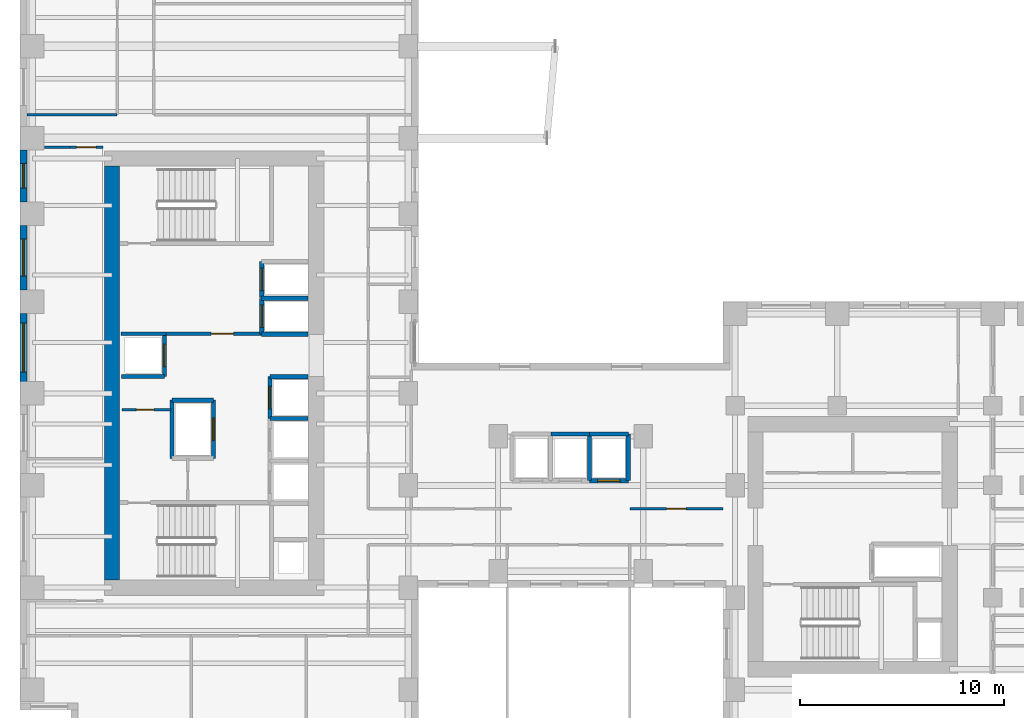
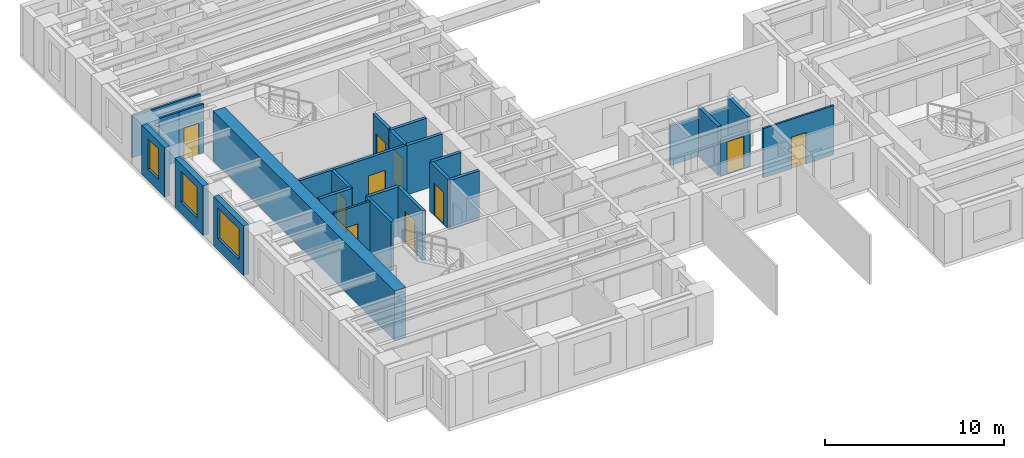
# One storey, part 7 of 13: 28 walls, 10 doors, 3 windows, 13 openings.
"""IFC4 building model written with IfcOpenShell, lengths in metres."""

from ifc_helpers import new_model, si_unit, direction, frame, frame_2d, origin, place, context, subcontext, project, spatial, rectangle, extrude, source, transform, mapped, material, layer, layer_set, type_object, element, fill, save


model = new_model("IFC4")

# Units and contexts
model_context = context("Model", 3, precision=1e-05, world=origin(), true_north=direction((0.0, 1.0)))
body_context = subcontext(model_context, "Body", "Model", "MODEL_VIEW")
ifc_project = project(units=[si_unit("LENGTHUNIT", "METRE"), si_unit("AREAUNIT", "SQUARE_METRE"), si_unit("VOLUMEUNIT", "CUBIC_METRE"), si_unit("PLANEANGLEUNIT", "RADIAN"), si_unit("MASSUNIT", "GRAM", prefix="KILO")], contexts=[model_context])

# Site, building, storey
site_placement = place(None, origin())
site = spatial("IfcSite", under=ifc_project, at=site_placement, CompositionType="ELEMENT")
building_placement = place(site_placement, origin())
building = spatial("IfcBuilding", under=site, at=building_placement, Name="Kharzan Plaza Tower", CompositionType="ELEMENT")
storey_placement = place(building_placement, frame((0.0, 0.0, 95.39990234375)))
storey = spatial("IfcBuildingStorey", under=building, at=storey_placement, Name="L25", CompositionType="ELEMENT", Elevation=95.39990234375)

# Wall, opening, window
ifc_material_1 = material(Name="Concrete C40/50", Category="concrete")
ifc_layer_1 = layer(ifc_material_1, 0.35009765625)
ifc_layer_set_1 = layer_set([ifc_layer_1], Name="Concrete C40/50")
wall_type_1 = type_object("IfcWallType", Name="WL-EXT-MAS-Z2", PredefinedType="SOLIDWALL", material=ifc_layer_set_1)
wall_1_placement = place(storey_placement, frame((0.175048828125, 29.927001953125, 0.0), z_axis=(0.0, 0.0, 1.0), x_axis=(0.0, -1.0, 0.0)))
wall_1 = element("IfcWall", 1, at=wall_1_placement, inside=storey, type_object=wall_type_1, Name="L25 Masonry-Frame Exterior Wall 20", PredefinedType="SOLIDWALL", context=body_context, shape_type="SweptSolid", body=[
    extrude(rectangle(XDim=2.553955078125, YDim=0.35009765625, at=frame_2d((1.27685546875, 0.0))), origin(), (0.0, 0.0, 1.0), 3.364990234375),
])
opening_1_placement = place(wall_1_placement, frame((0.677001953125, 0.0, 0.780029296875)))
opening_1 = element("IfcOpeningElement", 2, at=opening_1_placement, cuts=wall_1, Name="Opening W3", PredefinedType="OPENING", context=body_context, shape_type="SweptSolid", body=[
    extrude(rectangle(XDim=1.199951171875, YDim=2.10009765625, at=frame_2d((0.60009765625, 1.050048828125))), frame((0.0, 0.18505859375, 0.0), z_axis=(0.0, -1.0, 0.0), x_axis=(1.0, 0.0, 0.0)), (0.0, 0.0, 1.0), 0.3701171875),
])
ifc_material_2 = material(Name="Low-E Double Glazing", Category="glass")
window_type_1 = type_object("IfcWindowType", Name="WN-REC-1200x2100", PartitioningType="SINGLE_PANEL", PredefinedType="WINDOW", material=ifc_material_2)
shared_shape_1 = source(origin(), body_context, "Body", "SweptSolid", [
    extrude(rectangle(XDim=1.199951171875, YDim=2.10009765625, at=frame_2d((0.60009765625, 1.050048828125))), frame((0.0, 0.030029296875, 0.0), z_axis=(0.0, -1.0, 0.0), x_axis=(1.0, 0.0, 0.0)), (0.0, 0.0, 1.0), 0.06005859375),
])
window_1_placement = place(opening_1_placement, origin())
window_1 = element("IfcWindow", 3, at=window_1_placement, inside=storey, type_object=window_type_1, Name="L25 Recessed Solar-Control Window 20-1", OverallHeight=2.10009765625, OverallWidth=1.199951171875, PartitioningType="SINGLE_PANEL", PredefinedType="WINDOW", context=body_context, shape_type="MappedRepresentation", body=[
    mapped(shared_shape_1, transform((0.0, 0.0, 0.0), x_axis=(1.0, 0.0, 0.0), y_axis=(0.0, 1.0, 0.0), z_axis=(0.0, 0.0, 1.0))),
])
fill(opening_1, window_1)

wall_2_placement = place(storey_placement, frame((0.175048828125, 26.22705078125, 0.0), z_axis=(0.0, 0.0, 1.0), x_axis=(0.0, -1.0, 0.0)))
wall_2 = element("IfcWall", 4, at=wall_2_placement, inside=storey, type_object=wall_type_1, Name="L25 Masonry-Frame Exterior Wall 21", PredefinedType="SOLIDWALL", context=body_context, shape_type="SweptSolid", body=[
    extrude(rectangle(XDim=3.154052734375, YDim=0.35009765625, at=frame_2d((1.5771484375, 0.0))), origin(), (0.0, 0.0, 1.0), 3.364990234375),
])
opening_2_placement = place(wall_2_placement, frame((0.677001953125, 0.0, 0.780029296875)))
opening_2 = element("IfcOpeningElement", 5, at=opening_2_placement, cuts=wall_2, Name="Opening W1", PredefinedType="OPENING", context=body_context, shape_type="SweptSolid", body=[
    extrude(rectangle(XDim=1.800048828125, YDim=2.10009765625, at=frame_2d((0.89990234375, 1.050048828125))), frame((0.0, 0.18505859375, 0.0), z_axis=(0.0, -1.0, 0.0), x_axis=(1.0, 0.0, 0.0)), (0.0, 0.0, 1.0), 0.3701171875),
])
window_type_2 = type_object("IfcWindowType", Name="WN-REC-1800x2100", PartitioningType="SINGLE_PANEL", PredefinedType="WINDOW", material=ifc_material_2)
shared_shape_2 = source(origin(), body_context, "Body", "SweptSolid", [
    extrude(rectangle(XDim=1.800048828125, YDim=2.10009765625, at=frame_2d((0.89990234375, 1.050048828125))), frame((0.0, 0.030029296875, 0.0), z_axis=(0.0, -1.0, 0.0), x_axis=(1.0, 0.0, 0.0)), (0.0, 0.0, 1.0), 0.06005859375),
])
window_2_placement = place(opening_2_placement, origin())
window_2 = element("IfcWindow", 6, at=window_2_placement, inside=storey, type_object=window_type_2, Name="L25 Recessed Solar-Control Window 21-1", OverallHeight=2.10009765625, OverallWidth=1.800048828125, PartitioningType="SINGLE_PANEL", PredefinedType="WINDOW", context=body_context, shape_type="MappedRepresentation", body=[
    mapped(shared_shape_2, transform((0.0, 0.0, 0.0), x_axis=(1.0, 0.0, 0.0), y_axis=(0.0, 1.0, 0.0), z_axis=(0.0, 0.0, 1.0))),
])
fill(opening_2, window_2)

wall_3_placement = place(storey_placement, frame((0.175048828125, 21.927001953125, 0.0), z_axis=(0.0, 0.0, 1.0), x_axis=(0.0, -1.0, 0.0)))
wall_3 = element("IfcWall", 7, at=wall_3_placement, inside=storey, type_object=wall_type_1, Name="L25 Masonry-Frame Exterior Wall 22", PredefinedType="SOLIDWALL", context=body_context, shape_type="SweptSolid", body=[
    extrude(rectangle(XDim=3.35400390625, YDim=0.35009765625, at=frame_2d((1.677001953125, 0.0))), origin(), (0.0, 0.0, 1.0), 3.364990234375),
])
opening_3_placement = place(wall_3_placement, frame((0.47705078125, 0.0, 0.780029296875)))
opening_3 = element("IfcOpeningElement", 8, at=opening_3_placement, cuts=wall_3, Name="Opening W2", PredefinedType="OPENING", context=body_context, shape_type="SweptSolid", body=[
    extrude(rectangle(XDim=2.39990234375, YDim=2.10009765625, at=frame_2d((1.199951171875, 1.050048828125))), frame((0.0, 0.18505859375, 0.0), z_axis=(0.0, -1.0, 0.0), x_axis=(1.0, 0.0, 0.0)), (0.0, 0.0, 1.0), 0.3701171875),
])
window_type_3 = type_object("IfcWindowType", Name="WN-REC-2400x2100", PartitioningType="SINGLE_PANEL", PredefinedType="WINDOW", material=ifc_material_2)
shared_shape_3 = source(origin(), body_context, "Body", "SweptSolid", [
    extrude(rectangle(XDim=2.39990234375, YDim=2.10009765625, at=frame_2d((1.199951171875, 1.050048828125))), frame((0.0, 0.030029296875, 0.0), z_axis=(0.0, -1.0, 0.0), x_axis=(1.0, 0.0, 0.0)), (0.0, 0.0, 1.0), 0.06005859375),
])
window_3_placement = place(opening_3_placement, origin())
window_3 = element("IfcWindow", 9, at=window_3_placement, inside=storey, type_object=window_type_3, Name="L25 Wide Recessed Solar-Control Window 22-1", OverallHeight=2.10009765625, OverallWidth=2.39990234375, PartitioningType="SINGLE_PANEL", PredefinedType="WINDOW", context=body_context, shape_type="MappedRepresentation", body=[
    mapped(shared_shape_3, transform((0.0, 0.0, 0.0), x_axis=(1.0, 0.0, 0.0), y_axis=(0.0, 1.0, 0.0), z_axis=(0.0, 0.0, 1.0))),
])
fill(opening_3, window_3)

# Wall, opening, door
ifc_layer_2 = layer(ifc_material_1, 0.179931640625)
ifc_layer_set_2 = layer_set([ifc_layer_2], Name="Concrete C40/50")
wall_type_2 = type_object("IfcWallType", Name="WL-INT-FIRE-180", PredefinedType="PARTITIONING", material=ifc_layer_set_2)
wall_4_placement = place(storey_placement, frame((7.14990234375, 20.919921875, 0.0), z_axis=(0.0, 0.0, 1.0), x_axis=(1.0, 0.0, 0.0)))
wall_4 = element("IfcWall", 10, at=wall_4_placement, inside=storey, type_object=wall_type_2, Name="L25 Interior Partition CA-FF-S", PredefinedType="PARTITIONING", context=body_context, shape_type="SweptSolid", body=[
    extrude(rectangle(XDim=4.68017578125, YDim=0.179931640625, at=frame_2d((2.340087890625, 0.0))), origin(), (0.0, 0.0, 1.0), 3.364990234375),
])
opening_4_placement = place(wall_4_placement, frame((2.199951171875, 0.0, 0.0)))
opening_4 = element("IfcOpeningElement", 11, at=opening_4_placement, cuts=wall_4, Name="Opening FD1", PredefinedType="OPENING", context=body_context, shape_type="SweptSolid", body=[
    extrude(rectangle(XDim=1.10009765625, YDim=2.14990234375, at=frame_2d((0.550048828125, 1.074951171875))), frame((0.0, 0.099853515625, 0.0), z_axis=(0.0, -1.0, 0.0), x_axis=(1.0, 0.0, 0.0)), (0.0, 0.0, 1.0), 0.199951171875),
])
ifc_material_3 = material(Name="Fire-Rated Acoustic Vision-Panel Steel", Category="steel")
door_type_1 = type_object("IfcDoorType", Name="DR-FIRE-LOBBY", OperationType="NOTDEFINED", PredefinedType="DOOR", material=ifc_material_3)
shared_shape_4 = source(origin(), body_context, "Body", "SweptSolid", [
    extrude(rectangle(XDim=1.10009765625, YDim=2.14990234375, at=frame_2d((0.550048828125, 1.074951171875))), frame((0.0, 0.02490234375, 0.0), z_axis=(0.0, -1.0, 0.0), x_axis=(1.0, 0.0, 0.0)), (0.0, 0.0, 1.0), 0.050048828125),
])
door_1_placement = place(opening_4_placement, origin())
door_1 = element("IfcDoor", 12, at=door_1_placement, inside=storey, type_object=door_type_1, Name="L25 Firefighting Lobby Door", OperationType="SINGLE_SWING_RIGHT", OverallHeight=2.14990234375, OverallWidth=1.10009765625, PredefinedType="DOOR", context=body_context, shape_type="MappedRepresentation", body=[
    mapped(shared_shape_4, transform((0.0, 0.0, 0.0), x_axis=(1.0, 0.0, 0.0), y_axis=(0.0, 1.0, 0.0), z_axis=(0.0, 0.0, 1.0))),
])
fill(opening_4, door_1)

ifc_material_4 = material(Name="Fire-Rated Gypsum Board Partition", Category="gypsum")
ifc_layer_3 = layer(ifc_material_4, 0.125)
ifc_layer_set_3 = layer_set([ifc_layer_3], Name="Fire-Rated Gypsum Board Partition")
wall_type_3 = type_object("IfcWallType", Name="WL-INT-PART-125", PredefinedType="PARTITIONING", material=ifc_layer_set_3)
wall_5_placement = place(storey_placement, frame((5.0, 17.199951171875, 0.0), z_axis=(0.0, 0.0, 1.0), x_axis=(1.0, 0.0, 0.0)))
wall_5 = element("IfcWall", 13, at=wall_5_placement, inside=storey, type_object=wall_type_3, Name="L25 Interior Partition CA-K1N2", PredefinedType="PARTITIONING", context=body_context, shape_type="SweptSolid", body=[
    extrude(rectangle(XDim=2.39990234375, YDim=0.125, at=frame_2d((1.199951171875, 0.0))), origin(), (0.0, 0.0, 1.0), 3.364990234375),
])
opening_5_placement = place(wall_5_placement, frame((0.699951171875, 0.0, 0.0)))
opening_5 = element("IfcOpeningElement", 14, at=opening_5_placement, cuts=wall_5, Name="Opening RD1", PredefinedType="OPENING", context=body_context, shape_type="SweptSolid", body=[
    extrude(rectangle(XDim=0.85009765625, YDim=2.10009765625, at=frame_2d((0.425048828125, 1.050048828125))), frame((0.0, 0.072509765625, 0.0), z_axis=(0.0, -1.0, 0.0), x_axis=(1.0, 0.0, 0.0)), (0.0, 0.0, 1.0), 0.14501953125),
])
ifc_material_5 = material(Name="Powder-Coated Fire-Rated Steel", Category="steel")
door_type_2 = type_object("IfcDoorType", Name="DR-RISER-900", OperationType="NOTDEFINED", PredefinedType="DOOR", material=ifc_material_5)
shared_shape_5 = source(origin(), body_context, "Body", "SweptSolid", [
    extrude(rectangle(XDim=0.85009765625, YDim=2.10009765625, at=frame_2d((0.425048828125, 1.050048828125))), frame((0.0, 0.02490234375, 0.0), z_axis=(0.0, -1.0, 0.0), x_axis=(1.0, 0.0, 0.0)), (0.0, 0.0, 1.0), 0.050048828125),
])
door_2_placement = place(opening_5_placement, origin())
door_2 = element("IfcDoor", 15, at=door_2_placement, inside=storey, type_object=door_type_2, Name="L25 Core Storage Room Door", OperationType="SINGLE_SWING_LEFT", OverallHeight=2.10009765625, OverallWidth=0.85009765625, PredefinedType="DOOR", context=body_context, shape_type="MappedRepresentation", body=[
    mapped(shared_shape_5, transform((0.0, 0.0, 0.0), x_axis=(1.0, 0.0, 0.0), y_axis=(0.0, 1.0, 0.0), z_axis=(0.0, 0.0, 1.0))),
])
fill(opening_5, door_2)

wall_6_placement = place(storey_placement, frame((2.449951171875, 30.050048828125, 0.0), z_axis=(0.0, 0.0, 1.0), x_axis=(1.0, 0.0, 0.0)))
wall_6 = element("IfcWall", 16, at=wall_6_placement, inside=storey, type_object=wall_type_3, Name="L25 Interior Partition SH-RWND", PredefinedType="PARTITIONING", context=body_context, shape_type="SweptSolid", body=[
    extrude(rectangle(XDim=1.60009765625, YDim=0.125, at=frame_2d((0.800048828125, 0.0))), origin(), (0.0, 0.0, 1.0), 3.364990234375),
])
opening_6_placement = place(wall_6_placement, frame((0.324951171875, 0.0, 0.0)))
opening_6 = element("IfcOpeningElement", 17, at=opening_6_placement, cuts=wall_6, Name="Opening OD1", PredefinedType="OPENING", context=body_context, shape_type="SweptSolid", body=[
    extrude(rectangle(XDim=0.949951171875, YDim=2.14990234375, at=frame_2d((0.47509765625, 1.074951171875))), frame((0.0, 0.072509765625, 0.0), z_axis=(0.0, -1.0, 0.0), x_axis=(1.0, 0.0, 0.0)), (0.0, 0.0, 1.0), 0.14501953125),
])
ifc_material_6 = material(Name="Acoustic Solid-Core Stained Oak", Category="timber")
door_type_3 = type_object("IfcDoorType", Name="DR-OFF-SINGLE", OperationType="NOTDEFINED", PredefinedType="DOOR", material=ifc_material_6)
shared_shape_6 = source(origin(), body_context, "Body", "SweptSolid", [
    extrude(rectangle(XDim=0.949951171875, YDim=2.14990234375, at=frame_2d((0.47509765625, 1.074951171875))), frame((0.0, 0.02490234375, 0.0), z_axis=(0.0, -1.0, 0.0), x_axis=(1.0, 0.0, 0.0)), (0.0, 0.0, 1.0), 0.050048828125),
])
door_3_placement = place(opening_6_placement, origin())
door_3 = element("IfcDoor", 18, at=door_3_placement, inside=storey, type_object=door_type_3, Name="L25 West Office 2 Door", OperationType="SINGLE_SWING_LEFT", OverallHeight=2.14990234375, OverallWidth=0.949951171875, PredefinedType="DOOR", context=body_context, shape_type="MappedRepresentation", body=[
    mapped(shared_shape_6, transform((0.0, 0.0, 0.0), x_axis=(1.0, 0.0, 0.0), y_axis=(0.0, 1.0, 0.0), z_axis=(0.0, 0.0, 1.0))),
])
fill(opening_6, door_3)

wall_7_placement = place(storey_placement, frame((29.85009765625, 12.35009765625, 0.0), z_axis=(0.0, 0.0, 1.0), x_axis=(1.0, 0.0, 0.0)))
wall_7 = element("IfcWall", 19, at=wall_7_placement, inside=storey, type_object=wall_type_3, Name="L25 Interior Partition SH-SPNE1", PredefinedType="PARTITIONING", context=body_context, shape_type="SweptSolid", body=[
    extrude(rectangle(XDim=4.5498046875, YDim=0.125, at=frame_2d((2.27490234375, 0.0))), origin(), (0.0, 0.0, 1.0), 3.364990234375),
])
opening_7_placement = place(wall_7_placement, frame((1.800048828125, 0.0, 0.0)))
opening_7 = element("IfcOpeningElement", 20, at=opening_7_placement, cuts=wall_7, Name="Opening OD1", PredefinedType="OPENING", context=body_context, shape_type="SweptSolid", body=[
    extrude(rectangle(XDim=0.949951171875, YDim=2.14990234375, at=frame_2d((0.47509765625, 1.074951171875))), frame((0.0, 0.072509765625, 0.0), z_axis=(0.0, -1.0, 0.0), x_axis=(1.0, 0.0, 0.0)), (0.0, 0.0, 1.0), 0.14501953125),
])
door_4_placement = place(opening_7_placement, origin())
door_4 = element("IfcDoor", 21, at=door_4_placement, inside=storey, type_object=door_type_3, Name="L25 North-East Spine Door", OperationType="SINGLE_SWING_RIGHT", OverallHeight=2.14990234375, OverallWidth=0.949951171875, PredefinedType="DOOR", context=body_context, shape_type="MappedRepresentation", body=[
    mapped(shared_shape_6, transform((0.0, 0.0, 0.0), x_axis=(1.0, 0.0, 0.0), y_axis=(0.0, 1.0, 0.0), z_axis=(0.0, 0.0, 1.0))),
])
fill(opening_7, door_4)

ifc_layer_4 = layer(ifc_material_1, 0.199951171875)
ifc_layer_set_4 = layer_set([ifc_layer_4], Name="Concrete C40/50")
wall_type_4 = type_object("IfcWallType", Name="WL-INT-SHAFT-200", PredefinedType="PARTITIONING", material=ifc_layer_set_4)
wall_8_placement = place(storey_placement, frame((11.830078125, 20.89990234375, 0.0), z_axis=(0.0, 0.0, 1.0), x_axis=(0.0, 1.0, 0.0)))
wall_8 = element("IfcWall", 22, at=wall_8_placement, inside=storey, type_object=wall_type_4, Name="L25 Interior Partition SHF-FFL-1-W", PredefinedType="PARTITIONING", context=body_context, shape_type="SweptSolid", body=[
    extrude(rectangle(XDim=1.760009765625, YDim=0.199951171875, at=frame_2d((0.8798828125, 0.0))), origin(), (0.0, 0.0, 1.0), 3.364990234375),
])
opening_8_placement = place(wall_8_placement, frame((0.330078125, 0.0, 0.0)))
opening_8 = element("IfcOpeningElement", 23, at=opening_8_placement, cuts=wall_8, Name="Opening LD", PredefinedType="OPENING", context=body_context, shape_type="SweptSolid", body=[
    extrude(rectangle(XDim=1.10009765625, YDim=2.199951171875, at=frame_2d((0.550048828125, 1.10009765625))), frame((0.0, 0.10986328125, 0.0), z_axis=(0.0, -1.0, 0.0), x_axis=(1.0, 0.0, 0.0)), (0.0, 0.0, 1.0), 0.219970703125),
])
ifc_material_7 = material(Name="Brushed Stainless Steel", Category="steel")
door_type_4 = type_object("IfcDoorType", Name="DR-LIFT-SLIDE", OperationType="SLIDING_TO_LEFT", PredefinedType="DOOR", material=ifc_material_7)
shared_shape_7 = source(origin(), body_context, "Body", "SweptSolid", [
    extrude(rectangle(XDim=1.10009765625, YDim=2.199951171875, at=frame_2d((0.550048828125, 1.10009765625))), frame((0.0, 0.02490234375, 0.0), z_axis=(0.0, -1.0, 0.0), x_axis=(1.0, 0.0, 0.0)), (0.0, 0.0, 1.0), 0.050048828125),
])
door_5_placement = place(opening_8_placement, origin())
door_5 = element("IfcDoor", 24, at=door_5_placement, inside=storey, type_object=door_type_4, Name="L25 Firefighting Lift FFL-1 Sliding Landing Door", OperationType="SLIDING_TO_LEFT", OverallHeight=2.199951171875, OverallWidth=1.10009765625, PredefinedType="DOOR", context=body_context, shape_type="MappedRepresentation", body=[
    mapped(shared_shape_7, transform((0.0, 0.0, 0.0), x_axis=(1.0, 0.0, 0.0), y_axis=(0.0, 1.0, 0.0), z_axis=(0.0, 0.0, 1.0))),
])
fill(opening_8, door_5)

wall_9_placement = place(storey_placement, frame((11.830078125, 22.699951171875, 0.0), z_axis=(0.0, 0.0, 1.0), x_axis=(0.0, 1.0, 0.0)))
wall_9 = element("IfcWall", 25, at=wall_9_placement, inside=storey, type_object=wall_type_4, Name="L25 Interior Partition SHF-FFL-2-W", PredefinedType="PARTITIONING", context=body_context, shape_type="SweptSolid", body=[
    extrude(rectangle(XDim=1.760009765625, YDim=0.199951171875, at=frame_2d((0.8798828125, 0.0))), origin(), (0.0, 0.0, 1.0), 3.364990234375),
])
opening_9_placement = place(wall_9_placement, frame((0.330078125, 0.0, 0.0)))
opening_9 = element("IfcOpeningElement", 26, at=opening_9_placement, cuts=wall_9, Name="Opening LD", PredefinedType="OPENING", context=body_context, shape_type="SweptSolid", body=[
    extrude(rectangle(XDim=1.10009765625, YDim=2.199951171875, at=frame_2d((0.550048828125, 1.10009765625))), frame((0.0, 0.10986328125, 0.0), z_axis=(0.0, -1.0, 0.0), x_axis=(1.0, 0.0, 0.0)), (0.0, 0.0, 1.0), 0.219970703125),
])
door_6_placement = place(opening_9_placement, origin())
door_6 = element("IfcDoor", 27, at=door_6_placement, inside=storey, type_object=door_type_4, Name="L25 Firefighting Lift FFL-2 Sliding Landing Door", OperationType="SLIDING_TO_LEFT", OverallHeight=2.199951171875, OverallWidth=1.10009765625, PredefinedType="DOOR", context=body_context, shape_type="MappedRepresentation", body=[
    mapped(shared_shape_7, transform((0.0, 0.0, 0.0), x_axis=(1.0, 0.0, 0.0), y_axis=(0.0, 1.0, 0.0), z_axis=(0.0, 0.0, 1.0))),
])
fill(opening_9, door_6)

wall_10_placement = place(storey_placement, frame((12.22998046875, 16.77001953125, 0.0), z_axis=(0.0, 0.0, 1.0), x_axis=(0.0, 1.0, 0.0)))
wall_10 = element("IfcWall", 28, at=wall_10_placement, inside=storey, type_object=wall_type_4, Name="L25 Interior Partition SHF-PL-H3-W", PredefinedType="PARTITIONING", context=body_context, shape_type="SweptSolid", body=[
    extrude(rectangle(XDim=2.050048828125, YDim=0.199951171875, at=frame_2d((1.02490234375, 0.0))), origin(), (0.0, 0.0, 1.0), 3.364990234375),
])
opening_10_placement = place(wall_10_placement, frame((0.47509765625, 0.0, 0.0)))
opening_10 = element("IfcOpeningElement", 29, at=opening_10_placement, cuts=wall_10, Name="Opening LD", PredefinedType="OPENING", context=body_context, shape_type="SweptSolid", body=[
    extrude(rectangle(XDim=1.10009765625, YDim=2.199951171875, at=frame_2d((0.550048828125, 1.10009765625))), frame((0.0, 0.10986328125, 0.0), z_axis=(0.0, -1.0, 0.0), x_axis=(1.0, 0.0, 0.0)), (0.0, 0.0, 1.0), 0.219970703125),
])
door_7_placement = place(opening_10_placement, origin())
door_7 = element("IfcDoor", 30, at=door_7_placement, inside=storey, type_object=door_type_4, Name="L25 High-Rise Passenger Lift PL-H3 Sliding Landing Door", OperationType="SLIDING_TO_LEFT", OverallHeight=2.199951171875, OverallWidth=1.10009765625, PredefinedType="DOOR", context=body_context, shape_type="MappedRepresentation", body=[
    mapped(shared_shape_7, transform((0.0, 0.0, 0.0), x_axis=(1.0, 0.0, 0.0), y_axis=(0.0, 1.0, 0.0), z_axis=(0.0, 0.0, 1.0))),
])
fill(opening_10, door_7)

wall_11_placement = place(storey_placement, frame((7.070068359375, 18.840087890625, 0.0), z_axis=(0.0, 0.0, 1.0), x_axis=(0.0, 1.0, 0.0)))
wall_11 = element("IfcWall", 31, at=wall_11_placement, inside=storey, type_object=wall_type_4, Name="L25 Interior Partition SHF-PL-H4-E", PredefinedType="PARTITIONING", context=body_context, shape_type="SweptSolid", body=[
    extrude(rectangle(XDim=2.059814453125, YDim=0.199951171875, at=frame_2d((1.02978515625, 0.0))), origin(), (0.0, 0.0, 1.0), 3.364990234375),
])
opening_11_placement = place(wall_11_placement, frame((0.47998046875, 0.0, 0.0)))
opening_11 = element("IfcOpeningElement", 32, at=opening_11_placement, cuts=wall_11, Name="Opening LD", PredefinedType="OPENING", context=body_context, shape_type="SweptSolid", body=[
    extrude(rectangle(XDim=1.10009765625, YDim=2.199951171875, at=frame_2d((0.550048828125, 1.10009765625))), frame((0.0, 0.10986328125, 0.0), z_axis=(0.0, -1.0, 0.0), x_axis=(1.0, 0.0, 0.0)), (0.0, 0.0, 1.0), 0.219970703125),
])
door_8_placement = place(opening_11_placement, origin())
door_8 = element("IfcDoor", 33, at=door_8_placement, inside=storey, type_object=door_type_4, Name="L25 High-Rise Passenger Lift PL-H4 Sliding Landing Door", OperationType="SLIDING_TO_LEFT", OverallHeight=2.199951171875, OverallWidth=1.10009765625, PredefinedType="DOOR", context=body_context, shape_type="MappedRepresentation", body=[
    mapped(shared_shape_7, transform((0.0, 0.0, 0.0), x_axis=(1.0, 0.0, 0.0), y_axis=(0.0, 1.0, 0.0), z_axis=(0.0, 0.0, 1.0))),
])
fill(opening_11, door_8)

wall_12_placement = place(storey_placement, frame((27.8798828125, 13.72998046875, 0.0), z_axis=(0.0, 0.0, 1.0), x_axis=(1.0, 0.0, 0.0)))
wall_12 = element("IfcWall", 34, at=wall_12_placement, inside=storey, type_object=wall_type_4, Name="L25 Interior Partition SHF-PL-M3-S", PredefinedType="PARTITIONING", context=body_context, shape_type="SweptSolid", body=[
    extrude(rectangle(XDim=1.89013671875, YDim=0.199951171875, at=frame_2d((0.945068359375, 0.0))), origin(), (0.0, 0.0, 1.0), 2.446044921875),
])
opening_12_placement = place(wall_12_placement, frame((0.39501953125, 0.0, 0.0)))
opening_12 = element("IfcOpeningElement", 35, at=opening_12_placement, cuts=wall_12, Name="Opening LD", PredefinedType="OPENING", context=body_context, shape_type="SweptSolid", body=[
    extrude(rectangle(XDim=1.10009765625, YDim=2.199951171875, at=frame_2d((0.550048828125, 1.10009765625))), frame((0.0, 0.10986328125, 0.0), z_axis=(0.0, -1.0, 0.0), x_axis=(1.0, 0.0, 0.0)), (0.0, 0.0, 1.0), 0.219970703125),
])
door_9_placement = place(opening_12_placement, origin())
door_9 = element("IfcDoor", 36, at=door_9_placement, inside=storey, type_object=door_type_4, Name="L25 Mid-Rise Passenger Lift PL-M3 Sliding Landing Door", OperationType="SLIDING_TO_LEFT", OverallHeight=2.199951171875, OverallWidth=1.10009765625, PredefinedType="DOOR", context=body_context, shape_type="MappedRepresentation", body=[
    mapped(shared_shape_7, transform((0.0, 0.0, 0.0), x_axis=(1.0, 0.0, 0.0), y_axis=(0.0, 1.0, 0.0), z_axis=(0.0, 0.0, 1.0))),
])
fill(opening_12, door_9)

wall_13_placement = place(storey_placement, frame((9.469970703125, 14.830078125, 0.0), z_axis=(0.0, 0.0, 1.0), x_axis=(0.0, 1.0, 0.0)))
wall_13 = element("IfcWall", 37, at=wall_13_placement, inside=storey, type_object=wall_type_4, Name="L25 Interior Partition SHF-SVL-1-E", PredefinedType="PARTITIONING", context=body_context, shape_type="SweptSolid", body=[
    extrude(rectangle(XDim=2.83984375, YDim=0.199951171875, at=frame_2d((1.419921875, 0.0))), origin(), (0.0, 0.0, 1.0), 3.364990234375),
])
opening_13_placement = place(wall_13_placement, frame((0.8701171875, 0.0, 0.0)))
opening_13 = element("IfcOpeningElement", 38, at=opening_13_placement, cuts=wall_13, Name="Opening LD", PredefinedType="OPENING", context=body_context, shape_type="SweptSolid", body=[
    extrude(rectangle(XDim=1.10009765625, YDim=2.199951171875, at=frame_2d((0.550048828125, 1.10009765625))), frame((0.0, 0.10986328125, 0.0), z_axis=(0.0, -1.0, 0.0), x_axis=(1.0, 0.0, 0.0)), (0.0, 0.0, 1.0), 0.219970703125),
])
door_10_placement = place(opening_13_placement, origin())
door_10 = element("IfcDoor", 39, at=door_10_placement, inside=storey, type_object=door_type_4, Name="L25 Service Lift SVL-1 Sliding Landing Door", OperationType="SLIDING_TO_LEFT", OverallHeight=2.199951171875, OverallWidth=1.10009765625, PredefinedType="DOOR", context=body_context, shape_type="MappedRepresentation", body=[
    mapped(shared_shape_7, transform((0.0, 0.0, 0.0), x_axis=(1.0, 0.0, 0.0), y_axis=(0.0, 1.0, 0.0), z_axis=(0.0, 0.0, 1.0))),
])
fill(opening_13, door_10)

# Walls
shared_shape_8 = source(origin(), body_context, "Body", "SweptSolid", [
    extrude(rectangle(XDim=2.090087890625, YDim=0.199951171875, at=frame_2d((1.044921875, 0.0))), origin(), (0.0, 0.0, 1.0), 3.364990234375),
])
wall_14_placement = place(storey_placement, frame((4.97998046875, 18.840087890625, 0.0), z_axis=(0.0, 0.0, 1.0), x_axis=(1.0, 0.0, 0.0)))
element("IfcWall", 40, at=wall_14_placement, inside=storey, type_object=wall_type_4, Name="L25 Interior Partition SHF-PL-H4-S", PredefinedType="PARTITIONING", context=body_context, shape_type="MappedRepresentation", body=[
    mapped(shared_shape_8, transform((0.0, 0.0, 0.0), x_axis=(1.0, 0.0, 0.0), y_axis=(0.0, 1.0, 0.0), z_axis=(0.0, 0.0, 1.0))),
])
shared_shape_9 = source(origin(), body_context, "Body", "SweptSolid", [
    extrude(rectangle(XDim=2.2900390625, YDim=0.199951171875, at=frame_2d((1.14501953125, 0.0))), origin(), (0.0, 0.0, 1.0), 3.364990234375),
])
for number, where, z_axis, x_axis, name in (
    (41, (27.8701171875, 13.72998046875, 0.0), (0.0, 0.0, 1.0), (0.0, 1.0, 0.0), "L25 Interior Partition SHF-PL-M2-E"),
    (42, (29.77001953125, 13.72998046875, 0.0), (0.0, 0.0, 1.0), (0.0, 1.0, 0.0), "L25 Interior Partition SHF-PL-M3-E"),
):
    element("IfcWall", number, at=place(storey_placement, frame(where, z_axis=z_axis, x_axis=x_axis)), inside=storey, type_object=wall_type_4, Name=name, PredefinedType="PARTITIONING", context=body_context, shape_type="MappedRepresentation", body=[
        mapped(shared_shape_9, transform((0.0, 0.0, 0.0), x_axis=(1.0, 0.0, 0.0), y_axis=(0.0, 1.0, 0.0), z_axis=(0.0, 0.0, 1.0))),
    ])
shared_shape_10 = source(origin(), body_context, "Body", "SweptSolid", [
    extrude(rectangle(XDim=2.0400390625, YDim=0.199951171875, at=frame_2d((1.02001953125, 0.0))), origin(), (0.0, 0.0, 1.0), 3.364990234375),
])
wall_15_placement = place(storey_placement, frame((7.429931640625, 17.669921875, 0.0), z_axis=(0.0, 0.0, 1.0), x_axis=(1.0, 0.0, 0.0)))
element("IfcWall", 43, at=wall_15_placement, inside=storey, type_object=wall_type_4, Name="L25 Interior Partition SHF-SVL-1-N", PredefinedType="PARTITIONING", context=body_context, shape_type="MappedRepresentation", body=[
    mapped(shared_shape_10, transform((0.0, 0.0, 0.0), x_axis=(1.0, 0.0, 0.0), y_axis=(0.0, 1.0, 0.0), z_axis=(0.0, 0.0, 1.0))),
])
shared_shape_11 = source(origin(), body_context, "Body", "SweptSolid", [
    extrude(rectangle(XDim=2.83984375, YDim=0.199951171875, at=frame_2d((1.419921875, 0.0))), origin(), (0.0, 0.0, 1.0), 3.364990234375),
])
wall_16_placement = place(storey_placement, frame((7.429931640625, 14.830078125, 0.0), z_axis=(0.0, 0.0, 1.0), x_axis=(0.0, 1.0, 0.0)))
element("IfcWall", 44, at=wall_16_placement, inside=storey, type_object=wall_type_4, Name="L25 Interior Partition SHF-SVL-1-W", PredefinedType="PARTITIONING", context=body_context, shape_type="MappedRepresentation", body=[
    mapped(shared_shape_11, transform((0.0, 0.0, 0.0), x_axis=(1.0, 0.0, 0.0), y_axis=(0.0, 1.0, 0.0), z_axis=(0.0, 0.0, 1.0))),
])
shared_shape_12 = source(origin(), body_context, "Body", "SweptSolid", [
    extrude(rectangle(XDim=4.39794921875, YDim=0.125, at=frame_2d((2.198974609375, 0.0))), origin(), (0.0, 0.0, 1.0), 2.828125),
])
wall_17_placement = place(storey_placement, frame((0.35205078125, 31.64990234375, 0.0), z_axis=(0.0, 0.0, 1.0), x_axis=(1.0, 0.0, 0.0)))
element("IfcWall", 45, at=wall_17_placement, inside=storey, type_object=wall_type_3, Name="L25 Interior Partition SH-NNW", PredefinedType="PARTITIONING", context=body_context, shape_type="MappedRepresentation", body=[
    mapped(shared_shape_12, transform((0.0, 0.0, 0.0), x_axis=(1.0, 0.0, 0.0), y_axis=(0.0, 1.0, 0.0), z_axis=(0.0, 0.0, 1.0))),
])
ifc_material_8 = material(Name="Concrete C60/75", Category="concrete")
ifc_layer_5 = layer(ifc_material_8, 0.75)
ifc_layer_set_5 = layer_set([ifc_layer_5], Name="Concrete C60/75")
wall_type_5 = type_object("IfcWallType", Name="WL-CORE-750", PredefinedType="SHEAR", material=ifc_layer_set_5)
shared_shape_13 = source(origin(), body_context, "Body", "SweptSolid", [
    extrude(rectangle(XDim=20.25, YDim=0.75, at=frame_2d((10.125, 0.0))), origin(), (0.0, 0.0, 1.0), 3.380126953125),
])
wall_18_placement = place(storey_placement, frame((4.5, 8.875, 0.0), z_axis=(0.0, 0.0, 1.0), x_axis=(0.0, 1.0, 0.0)))
element("IfcWall", 46, at=wall_18_placement, inside=storey, type_object=wall_type_5, Name="L25 CORE-A west RC shear wall", PredefinedType="SHEAR", context=body_context, shape_type="MappedRepresentation", body=[
    mapped(shared_shape_13, transform((0.0, 0.0, 0.0), x_axis=(1.0, 0.0, 0.0), y_axis=(0.0, 1.0, 0.0), z_axis=(0.0, 0.0, 1.0))),
])
shared_shape_14 = source(origin(), body_context, "Body", "SweptSolid", [
    extrude(rectangle(XDim=2.199951171875, YDim=0.179931640625, at=frame_2d((1.10009765625, 0.0))), origin(), (0.0, 0.0, 1.0), 3.364990234375),
])
wall_19_placement = place(storey_placement, frame((4.949951171875, 20.919921875, 0.0), z_axis=(0.0, 0.0, 1.0), x_axis=(1.0, 0.0, 0.0)))
element("IfcWall", 47, at=wall_19_placement, inside=storey, type_object=wall_type_2, Name="L25 Interior Partition CA-FF-SW", PredefinedType="PARTITIONING", context=body_context, shape_type="MappedRepresentation", body=[
    mapped(shared_shape_14, transform((0.0, 0.0, 0.0), x_axis=(1.0, 0.0, 0.0), y_axis=(0.0, 1.0, 0.0), z_axis=(0.0, 0.0, 1.0))),
])
shared_shape_15 = source(origin(), body_context, "Body", "SweptSolid", [
    extrude(rectangle(XDim=1.260009765625, YDim=0.125, at=frame_2d((0.6298828125, 0.0))), origin(), (0.0, 0.0, 1.0), 3.364990234375),
])
wall_20_placement = place(storey_placement, frame((1.18994140625, 30.050048828125, 0.0), z_axis=(0.0, 0.0, 1.0), x_axis=(1.0, 0.0, 0.0)))
element("IfcWall", 48, at=wall_20_placement, inside=storey, type_object=wall_type_3, Name="L25 Interior Partition SH-RWN0", PredefinedType="PARTITIONING", context=body_context, shape_type="MappedRepresentation", body=[
    mapped(shared_shape_15, transform((0.0, 0.0, 0.0), x_axis=(1.0, 0.0, 0.0), y_axis=(0.0, 1.0, 0.0), z_axis=(0.0, 0.0, 1.0))),
])
shared_shape_16 = source(origin(), body_context, "Body", "SweptSolid", [
    extrude(rectangle(XDim=2.264892578125, YDim=0.199951171875, at=frame_2d((1.13232421875, 0.0))), origin(), (0.0, 0.0, 1.0), 3.364990234375),
])
for number, where, z_axis, x_axis, name in (
    (49, (11.830078125, 22.659912109375, 0.0), (0.0, 0.0, 1.0), (1.0, 0.0, 0.0), "L25 Interior Partition SHF-FFL-1-N"),
    (50, (11.830078125, 20.89990234375, 0.0), (0.0, 0.0, 1.0), (1.0, 0.0, 0.0), "L25 Interior Partition SHF-FFL-1-S"),
):
    element("IfcWall", number, at=place(storey_placement, frame(where, z_axis=z_axis, x_axis=x_axis)), inside=storey, type_object=wall_type_4, Name=name, PredefinedType="PARTITIONING", context=body_context, shape_type="MappedRepresentation", body=[
        mapped(shared_shape_16, transform((0.0, 0.0, 0.0), x_axis=(1.0, 0.0, 0.0), y_axis=(0.0, 1.0, 0.0), z_axis=(0.0, 0.0, 1.0))),
    ])
shared_shape_17 = source(origin(), body_context, "Body", "SweptSolid", [
    extrude(rectangle(XDim=1.864990234375, YDim=0.199951171875, at=frame_2d((0.9326171875, 0.0))), origin(), (0.0, 0.0, 1.0), 3.364990234375),
])
for number, where, z_axis, x_axis, name in (
    (51, (12.22998046875, 16.77001953125, 0.0), (0.0, 0.0, 1.0), (1.0, 0.0, 0.0), "L25 Interior Partition SHF-PL-H2-N"),
    (52, (12.22998046875, 18.820068359375, 0.0), (0.0, 0.0, 1.0), (1.0, 0.0, 0.0), "L25 Interior Partition SHF-PL-H3-N"),
):
    element("IfcWall", number, at=place(storey_placement, frame(where, z_axis=z_axis, x_axis=x_axis)), inside=storey, type_object=wall_type_4, Name=name, PredefinedType="PARTITIONING", context=body_context, shape_type="MappedRepresentation", body=[
        mapped(shared_shape_17, transform((0.0, 0.0, 0.0), x_axis=(1.0, 0.0, 0.0), y_axis=(0.0, 1.0, 0.0), z_axis=(0.0, 0.0, 1.0))),
    ])
shared_shape_18 = source(origin(), body_context, "Body", "SweptSolid", [
    extrude(rectangle(XDim=1.89013671875, YDim=0.199951171875, at=frame_2d((0.945068359375, 0.0))), origin(), (0.0, 0.0, 1.0), 2.677001953125),
])
for number, where, z_axis, x_axis, name in (
    (53, (25.97998046875, 16.02001953125, 0.0), (0.0, 0.0, 1.0), (1.0, 0.0, 0.0), "L25 Interior Partition SHF-PL-M2-N"),
    (54, (27.8798828125, 16.02001953125, 0.0), (0.0, 0.0, 1.0), (1.0, 0.0, 0.0), "L25 Interior Partition SHF-PL-M3-N"),
):
    element("IfcWall", number, at=place(storey_placement, frame(where, z_axis=z_axis, x_axis=x_axis)), inside=storey, type_object=wall_type_4, Name=name, PredefinedType="PARTITIONING", context=body_context, shape_type="MappedRepresentation", body=[
        mapped(shared_shape_18, transform((0.0, 0.0, 0.0), x_axis=(1.0, 0.0, 0.0), y_axis=(0.0, 1.0, 0.0), z_axis=(0.0, 0.0, 1.0))),
    ])

save(model, "model.ifc")
